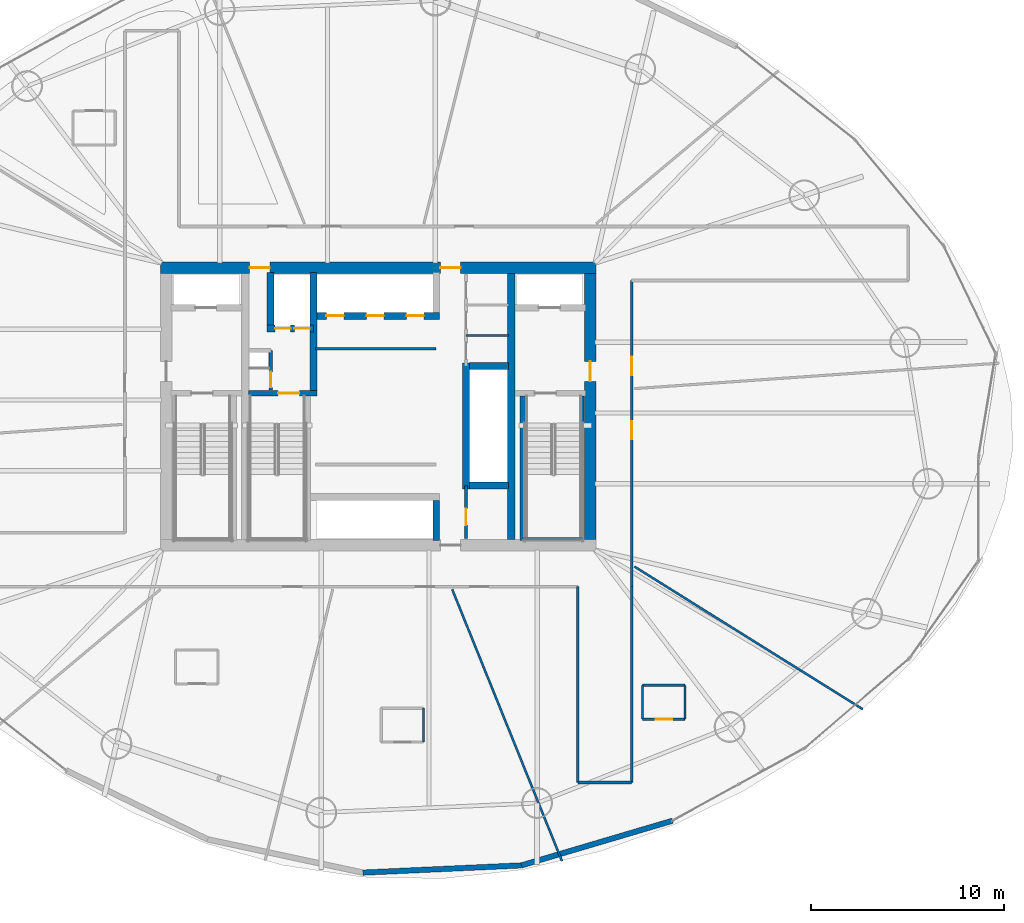
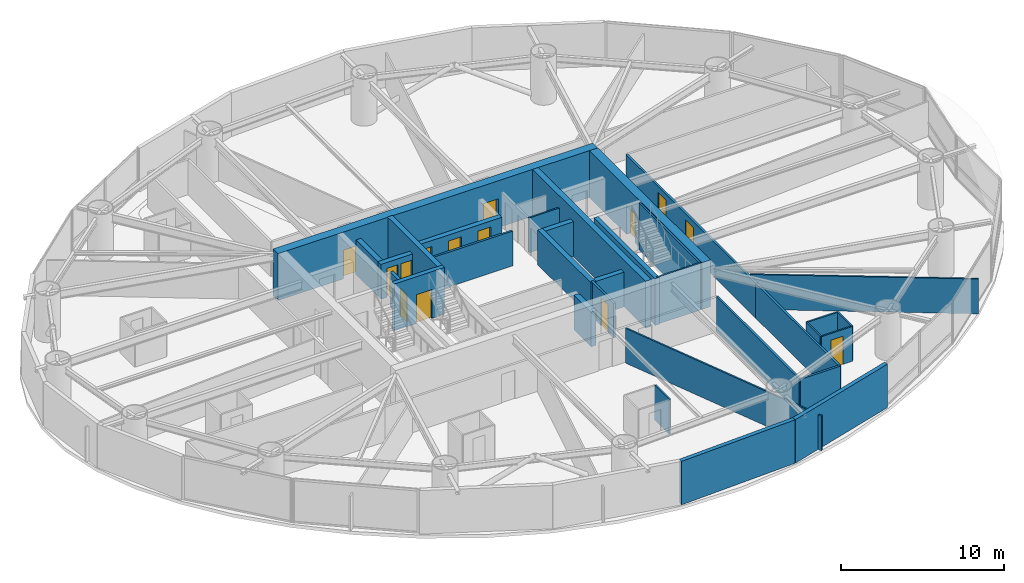
# One storey, part 22 of 25: 32 walls, 14 doors, 14 openings.
"""IFC4 building model written with IfcOpenShell, lengths in metres."""

from ifc_helpers import new_model, si_unit, direction, frame, frame_2d, origin, place, context, subcontext, project, spatial, rectangle, extrude, material, layer, layer_set, type_object, element, fill, save


model = new_model("IFC4")

# Units and contexts
model_context = context("Model", 3, precision=1e-05, world=origin(), true_north=direction((0.0, 1.0)))
body_context = subcontext(model_context, "Body", "Model", "MODEL_VIEW")
ifc_project = project(units=[si_unit("LENGTHUNIT", "METRE"), si_unit("AREAUNIT", "SQUARE_METRE"), si_unit("VOLUMEUNIT", "CUBIC_METRE"), si_unit("PLANEANGLEUNIT", "RADIAN"), si_unit("MASSUNIT", "GRAM", prefix="KILO")], contexts=[model_context])

# Site, building, storey
site_placement = place(None, origin())
site = spatial("IfcSite", under=ifc_project, at=site_placement, CompositionType="ELEMENT")
building_placement = place(site_placement, origin())
building = spatial("IfcBuilding", under=site, at=building_placement, Name="Bramvorn Convention Spire", CompositionType="ELEMENT")
storey_placement = place(building_placement, frame((0.0, 0.0, 55.39990234375)))
storey = spatial("IfcBuildingStorey", under=building, at=storey_placement, Name="L11", CompositionType="ELEMENT", Elevation=55.39990234375)

# Wall, openings, doors
ifc_material_1 = material(Name="Concrete C60/70", Category="concrete")
ifc_layer_1 = layer(ifc_material_1, 0.60009765625)
ifc_layer_set_1 = layer_set([ifc_layer_1], Name="Concrete C60/70 - WL-CORE-600")
wall_type_1 = type_object("IfcWallType", Name="WL-CORE-600", PredefinedType="SHEAR", material=ifc_layer_set_1)
wall_1_placement = place(storey_placement, frame((26.699951171875, 33.199951171875, 0.0), z_axis=(0.0, 0.0, 1.0), x_axis=(1.0, 0.0, 0.0)))
wall_1 = element("IfcWall", 1, at=wall_1_placement, inside=storey, type_object=wall_type_1, Name="L11 North RC core shear wall", PredefinedType="SHEAR", context=body_context, shape_type="SweptSolid", body=[
    extrude(rectangle(XDim=22.60009765625, YDim=0.60009765625, at=frame_2d((11.300048828125, 0.0))), origin(), (0.0, 0.0, 1.0), 3.5),
])
opening_1_placement = place(wall_1_placement, frame((4.6201171875, 0.0, 0.0)))
opening_1 = element("IfcOpeningElement", 2, at=opening_1_placement, cuts=wall_1, Name="Opening DL-105", PredefinedType="OPENING", context=body_context, shape_type="SweptSolid", body=[
    extrude(rectangle(XDim=1.050048828125, YDim=2.14990234375, at=frame_2d((0.52490234375, 1.074951171875))), frame((0.0, 0.31005859375, 0.0), z_axis=(0.0, -1.0, 0.0), x_axis=(1.0, 0.0, 0.0)), (0.0, 0.0, 1.0), 0.6201171875),
])
opening_2_placement = place(wall_1_placement, frame((14.52001953125, 0.0, 0.0)))
opening_2 = element("IfcOpeningElement", 3, at=opening_2_placement, cuts=wall_1, Name="Opening DL-105", PredefinedType="OPENING", context=body_context, shape_type="SweptSolid", body=[
    extrude(rectangle(XDim=1.050048828125, YDim=2.14990234375, at=frame_2d((0.52490234375, 1.074951171875))), frame((0.0, 0.31005859375, 0.0), z_axis=(0.0, -1.0, 0.0), x_axis=(1.0, 0.0, 0.0)), (0.0, 0.0, 1.0), 0.6201171875),
])
ifc_material_2 = material(Name="Smoke-Sealed Fire Lobby Timber-Core Door", Category="wood")
door_type_1 = type_object("IfcDoorType", Name="DR-LOBBY-1050", OperationType="NOTDEFINED", PredefinedType="DOOR", material=ifc_material_2)
door_1_placement = place(opening_1_placement, origin())
door_1 = element("IfcDoor", 4, at=door_1_placement, inside=storey, type_object=door_type_1, Name="L11 Service & Stair ST3 Lobby north corridor door", OperationType="SINGLE_SWING_LEFT", OverallHeight=2.14990234375, OverallWidth=1.050048828125, PredefinedType="DOOR", context=body_context, shape_type="SweptSolid", body=[
    extrude(rectangle(XDim=1.050048828125, YDim=2.14990234375, at=frame_2d((0.52490234375, 1.074951171875))), frame((0.0, 0.02490234375, 0.0), z_axis=(0.0, -1.0, 0.0), x_axis=(1.0, 0.0, 0.0)), (0.0, 0.0, 1.0), 0.050048828125),
])
fill(opening_1, door_1)
door_2_placement = place(opening_2_placement, origin())
door_2 = element("IfcDoor", 5, at=door_2_placement, inside=storey, type_object=door_type_1, Name="L11 North Lift Lobby fire door", OperationType="SINGLE_SWING_LEFT", OverallHeight=2.14990234375, OverallWidth=1.050048828125, PredefinedType="DOOR", context=body_context, shape_type="SweptSolid", body=[
    extrude(rectangle(XDim=1.050048828125, YDim=2.14990234375, at=frame_2d((0.52490234375, 1.074951171875))), frame((0.0, 0.02490234375, 0.0), z_axis=(0.0, -1.0, 0.0), x_axis=(1.0, 0.0, 0.0)), (0.0, 0.0, 1.0), 0.050048828125),
])
fill(opening_2, door_2)

# Wall, opening, door
wall_2_placement = place(storey_placement, frame((49.0, 19.10009765625, 0.0), z_axis=(0.0, 0.0, 1.0), x_axis=(0.0, 1.0, 0.0)))
wall_2 = element("IfcWall", 6, at=wall_2_placement, inside=storey, type_object=wall_type_1, Name="L11 East RC core shear wall", PredefinedType="SHEAR", context=body_context, shape_type="SweptSolid", body=[
    extrude(rectangle(XDim=13.7998046875, YDim=0.60009765625, at=frame_2d((6.89990234375, 0.0))), origin(), (0.0, 0.0, 1.0), 3.5),
])
opening_3_placement = place(wall_2_placement, frame((8.199951171875, 0.0, 0.0)))
opening_3 = element("IfcOpeningElement", 7, at=opening_3_placement, cuts=wall_2, Name="Opening DL-105", PredefinedType="OPENING", context=body_context, shape_type="SweptSolid", body=[
    extrude(rectangle(XDim=1.050048828125, YDim=2.14990234375, at=frame_2d((0.52490234375, 1.074951171875))), frame((0.0, 0.31005859375, 0.0), z_axis=(0.0, -1.0, 0.0), x_axis=(1.0, 0.0, 0.0)), (0.0, 0.0, 1.0), 0.6201171875),
])
door_3_placement = place(opening_3_placement, origin())
door_3 = element("IfcDoor", 8, at=door_3_placement, inside=storey, type_object=door_type_1, Name="L11 East Firefighting Lobby corridor door", OperationType="SINGLE_SWING_LEFT", OverallHeight=2.14990234375, OverallWidth=1.050048828125, PredefinedType="DOOR", context=body_context, shape_type="SweptSolid", body=[
    extrude(rectangle(XDim=1.050048828125, YDim=2.14990234375, at=frame_2d((0.52490234375, 1.074951171875))), frame((0.0, 0.02490234375, 0.0), z_axis=(0.0, -1.0, 0.0), x_axis=(1.0, 0.0, 0.0)), (0.0, 0.0, 1.0), 0.050048828125),
])
fill(opening_3, door_3)

# Wall
ifc_material_3 = material(Name="Concrete C50/60", Category="concrete")
ifc_layer_2 = layer(ifc_material_3, 0.35009765625)
ifc_layer_set_2 = layer_set([ifc_layer_2], Name="Concrete C50/60 - WL-CORE-INT-350")
wall_type_2 = type_object("IfcWallType", Name="WL-CORE-INT-350", PredefinedType="SHEAR", material=ifc_layer_set_2)
wall_3_placement = place(storey_placement, frame((34.639892578125, 26.68994140625, 0.0), z_axis=(0.0, 0.0, 1.0), x_axis=(0.0, 1.0, 0.0)))
element("IfcWall", 9, at=wall_3_placement, inside=storey, type_object=wall_type_2, Name="L11 SV east core shaft wall", PredefinedType="SHEAR", context=body_context, shape_type="SweptSolid", body=[
    extrude(rectangle(XDim=6.260009765625, YDim=0.35009765625, at=frame_2d((3.1298828125, 0.0))), origin(), (0.0, 0.0, 1.0), 3.5),
])

# Wall, openings, doors
wall_4_placement = place(storey_placement, frame((32.22998046875, 30.050048828125, 0.0), z_axis=(0.0, 0.0, 1.0), x_axis=(1.0, 0.0, 0.0)))
wall_4 = element("IfcWall", 10, at=wall_4_placement, inside=storey, type_object=wall_type_2, Name="L11 SV1/SV2 shaft front wall", PredefinedType="SHEAR", context=body_context, shape_type="SweptSolid", body=[
    extrude(rectangle(XDim=2.409912109375, YDim=0.35009765625, at=frame_2d((1.205078125, 0.0))), origin(), (0.0, 0.0, 1.0), 2.60009765625),
])
opening_4_placement = place(wall_4_placement, frame((0.419921875, 0.0, 0.0)))
opening_4 = element("IfcOpeningElement", 11, at=opening_4_placement, cuts=wall_4, Name="Opening LD-080", PredefinedType="OPENING", context=body_context, shape_type="SweptSolid", body=[
    extrude(rectangle(XDim=0.800048828125, YDim=2.14990234375, at=frame_2d((0.39990234375, 1.074951171875))), frame((0.0, 0.18505859375, 0.0), z_axis=(0.0, -1.0, 0.0), x_axis=(1.0, 0.0, 0.0)), (0.0, 0.0, 1.0), 0.3701171875),
])
opening_5_placement = place(wall_4_placement, frame((1.419921875, 0.0, 0.0)))
opening_5 = element("IfcOpeningElement", 12, at=opening_5_placement, cuts=wall_4, Name="Opening LD-080", PredefinedType="OPENING", context=body_context, shape_type="SweptSolid", body=[
    extrude(rectangle(XDim=0.800048828125, YDim=2.14990234375, at=frame_2d((0.39990234375, 1.074951171875))), frame((0.0, 0.18505859375, 0.0), z_axis=(0.0, -1.0, 0.0), x_axis=(1.0, 0.0, 0.0)), (0.0, 0.0, 1.0), 0.3701171875),
])
ifc_material_4 = material(Name="Service Lift Bi-Parting Landing Door", Category="steel")
door_type_2 = type_object("IfcDoorType", Name="DR-LIFT-LD-800", OperationType="NOTDEFINED", PredefinedType="DOOR", material=ifc_material_4)
door_4_placement = place(opening_4_placement, origin())
door_4 = element("IfcDoor", 13, at=door_4_placement, inside=storey, type_object=door_type_2, Name="L11 Lift SV1 Sliding Landing Door", OperationType="SLIDING_TO_LEFT", OverallHeight=2.14990234375, OverallWidth=0.800048828125, PredefinedType="DOOR", context=body_context, shape_type="SweptSolid", body=[
    extrude(rectangle(XDim=0.800048828125, YDim=2.14990234375, at=frame_2d((0.39990234375, 1.074951171875))), frame((0.0, 0.02490234375, 0.0), z_axis=(0.0, -1.0, 0.0), x_axis=(1.0, 0.0, 0.0)), (0.0, 0.0, 1.0), 0.050048828125),
])
fill(opening_4, door_4)
door_5_placement = place(opening_5_placement, origin())
door_5 = element("IfcDoor", 14, at=door_5_placement, inside=storey, type_object=door_type_2, Name="L11 Lift SV2 Sliding Landing Door", OperationType="SLIDING_TO_LEFT", OverallHeight=2.14990234375, OverallWidth=0.800048828125, PredefinedType="DOOR", context=body_context, shape_type="SweptSolid", body=[
    extrude(rectangle(XDim=0.800048828125, YDim=2.14990234375, at=frame_2d((0.39990234375, 1.074951171875))), frame((0.0, 0.02490234375, 0.0), z_axis=(0.0, -1.0, 0.0), x_axis=(1.0, 0.0, 0.0)), (0.0, 0.0, 1.0), 0.050048828125),
])
fill(opening_5, door_5)

# Walls
wall_5_placement = place(storey_placement, frame((32.39990234375, 30.219970703125, 0.0), z_axis=(0.0, 0.0, 1.0), x_axis=(0.0, 1.0, 0.0)))
element("IfcWall", 15, at=wall_5_placement, inside=storey, type_object=wall_type_2, Name="L11 SV1 west hoistway wall", PredefinedType="SHEAR", context=body_context, shape_type="SweptSolid", body=[
    extrude(rectangle(XDim=2.72998046875, YDim=0.35009765625, at=frame_2d((1.364990234375, 0.0))), origin(), (0.0, 0.0, 1.0), 2.60009765625),
])
wall_6_placement = place(storey_placement, frame((42.550048828125, 21.72998046875, 0.0), z_axis=(0.0, 0.0, 1.0), x_axis=(0.0, 1.0, 0.0)))
element("IfcWall", 16, at=wall_6_placement, inside=storey, type_object=wall_type_2, Name="L11 High-rise lift bank west wall", PredefinedType="SHEAR", context=body_context, shape_type="SweptSolid", body=[
    extrude(rectangle(XDim=6.5400390625, YDim=0.35009765625, at=frame_2d((3.27001953125, 0.0))), origin(), (0.0, 0.0, 1.0), 2.60009765625),
])
for number, where, z_axis, x_axis, name in (
    (17, (42.719970703125, 21.89990234375, 0.0), (0.0, 0.0, 1.0), (1.0, 0.0, 0.0), "L11 High-rise lift bank south wall"),
    (18, (42.719970703125, 28.10009765625, 0.0), (0.0, 0.0, 1.0), (1.0, 0.0, 0.0), "L11 High-rise lift bank north wall"),
):
    element("IfcWall", number, at=place(storey_placement, frame(where, z_axis=z_axis, x_axis=x_axis)), inside=storey, type_object=wall_type_2, Name=name, PredefinedType="SHEAR", context=body_context, shape_type="SweptSolid", body=[
        extrude(rectangle(XDim=2.030029296875, YDim=0.35009765625, at=frame_2d((1.01513671875, 0.0))), origin(), (0.0, 0.0, 1.0), 2.60009765625),
    ])

# Wall, openings, doors
wall_7_placement = place(storey_placement, frame((34.81005859375, 30.699951171875, 0.0), z_axis=(0.0, 0.0, 1.0), x_axis=(1.0, 0.0, 0.0)))
wall_7 = element("IfcWall", 19, at=wall_7_placement, inside=storey, type_object=wall_type_2, Name="L11 Low-rise bank south landing wall", PredefinedType="SHEAR", context=body_context, shape_type="SweptSolid", body=[
    extrude(rectangle(XDim=6.35986328125, YDim=0.35009765625, at=frame_2d((3.179931640625, 0.0))), origin(), (0.0, 0.0, 1.0), 2.60009765625),
])
opening_6_placement = place(wall_7_placement, frame((0.5, 0.0, 0.0)))
opening_6 = element("IfcOpeningElement", 20, at=opening_6_placement, cuts=wall_7, Name="Opening LD-090", PredefinedType="OPENING", context=body_context, shape_type="SweptSolid", body=[
    extrude(rectangle(XDim=0.89990234375, YDim=2.14990234375, at=frame_2d((0.449951171875, 1.074951171875))), frame((0.0, 0.18505859375, 0.0), z_axis=(0.0, -1.0, 0.0), x_axis=(1.0, 0.0, 0.0)), (0.0, 0.0, 1.0), 0.3701171875),
])
opening_7_placement = place(wall_7_placement, frame((2.580078125, 0.0, 0.0)))
opening_7 = element("IfcOpeningElement", 21, at=opening_7_placement, cuts=wall_7, Name="Opening LD-090", PredefinedType="OPENING", context=body_context, shape_type="SweptSolid", body=[
    extrude(rectangle(XDim=0.89990234375, YDim=2.14990234375, at=frame_2d((0.449951171875, 1.074951171875))), frame((0.0, 0.18505859375, 0.0), z_axis=(0.0, -1.0, 0.0), x_axis=(1.0, 0.0, 0.0)), (0.0, 0.0, 1.0), 0.3701171875),
])
opening_8_placement = place(wall_7_placement, frame((4.659912109375, 0.0, 0.0)))
opening_8 = element("IfcOpeningElement", 22, at=opening_8_placement, cuts=wall_7, Name="Opening LD-090", PredefinedType="OPENING", context=body_context, shape_type="SweptSolid", body=[
    extrude(rectangle(XDim=0.89990234375, YDim=2.14990234375, at=frame_2d((0.449951171875, 1.074951171875))), frame((0.0, 0.18505859375, 0.0), z_axis=(0.0, -1.0, 0.0), x_axis=(1.0, 0.0, 0.0)), (0.0, 0.0, 1.0), 0.3701171875),
])
ifc_material_5 = material(Name="Bi-Parting Fire-Rated Lift Landing Door", Category="steel")
door_type_3 = type_object("IfcDoorType", Name="DR-LIFT-LD-900", OperationType="NOTDEFINED", PredefinedType="DOOR", material=ifc_material_5)
door_6_placement = place(opening_6_placement, origin())
door_6 = element("IfcDoor", 23, at=door_6_placement, inside=storey, type_object=door_type_3, Name="L11 Lift PL1 Sliding Landing Door", OperationType="SLIDING_TO_LEFT", OverallHeight=2.14990234375, OverallWidth=0.89990234375, PredefinedType="DOOR", context=body_context, shape_type="SweptSolid", body=[
    extrude(rectangle(XDim=0.89990234375, YDim=2.14990234375, at=frame_2d((0.449951171875, 1.074951171875))), frame((0.0, 0.02490234375, 0.0), z_axis=(0.0, -1.0, 0.0), x_axis=(1.0, 0.0, 0.0)), (0.0, 0.0, 1.0), 0.050048828125),
])
fill(opening_6, door_6)
door_7_placement = place(opening_7_placement, origin())
door_7 = element("IfcDoor", 24, at=door_7_placement, inside=storey, type_object=door_type_3, Name="L11 Lift PL2 Sliding Landing Door", OperationType="SLIDING_TO_LEFT", OverallHeight=2.14990234375, OverallWidth=0.89990234375, PredefinedType="DOOR", context=body_context, shape_type="SweptSolid", body=[
    extrude(rectangle(XDim=0.89990234375, YDim=2.14990234375, at=frame_2d((0.449951171875, 1.074951171875))), frame((0.0, 0.02490234375, 0.0), z_axis=(0.0, -1.0, 0.0), x_axis=(1.0, 0.0, 0.0)), (0.0, 0.0, 1.0), 0.050048828125),
])
fill(opening_7, door_7)
door_8_placement = place(opening_8_placement, origin())
door_8 = element("IfcDoor", 25, at=door_8_placement, inside=storey, type_object=door_type_3, Name="L11 Lift PL3 Sliding Landing Door", OperationType="SLIDING_TO_LEFT", OverallHeight=2.14990234375, OverallWidth=0.89990234375, PredefinedType="DOOR", context=body_context, shape_type="SweptSolid", body=[
    extrude(rectangle(XDim=0.89990234375, YDim=2.14990234375, at=frame_2d((0.449951171875, 1.074951171875))), frame((0.0, 0.02490234375, 0.0), z_axis=(0.0, -1.0, 0.0), x_axis=(1.0, 0.0, 0.0)), (0.0, 0.0, 1.0), 0.050048828125),
])
fill(opening_8, door_8)

# Walls
wall_8_placement = place(storey_placement, frame((41.0, 19.050048828125, 0.0), z_axis=(0.0, 0.0, 1.0), x_axis=(0.0, 1.0, 0.0)))
element("IfcWall", 26, at=wall_8_placement, inside=storey, type_object=wall_type_2, Name="L11 Mid-rise bank east cheek wall", PredefinedType="SHEAR", context=body_context, shape_type="SweptSolid", body=[
    extrude(rectangle(XDim=2.079833984375, YDim=0.35009765625, at=frame_2d((1.0400390625, 0.0))), origin(), (0.0, 0.0, 1.0), 2.60009765625),
])
ifc_layer_3 = layer(ifc_material_1, 0.39990234375)
ifc_layer_set_3 = layer_set([ifc_layer_3], Name="Concrete C60/70 - WL-CORE-INT-400")
wall_type_3 = type_object("IfcWallType", Name="WL-CORE-INT-400", PredefinedType="SHEAR", material=ifc_layer_set_3)
wall_9_placement = place(storey_placement, frame((44.89990234375, 19.10009765625, 0.0), z_axis=(0.0, 0.0, 1.0), x_axis=(0.0, 1.0, 0.0)))
element("IfcWall", 27, at=wall_9_placement, inside=storey, type_object=wall_type_3, Name="L11 East internal core shear web", PredefinedType="SHEAR", context=body_context, shape_type="SweptSolid", body=[
    extrude(rectangle(XDim=13.7998046875, YDim=0.39990234375, at=frame_2d((6.89990234375, 0.0))), origin(), (0.0, 0.0, 1.0), 3.5),
])
ifc_material_6 = material(Name="Precast Concrete C40/50 with Bronze Terracotta Rainscreen", Category="masonry")
ifc_layer_4 = layer(ifc_material_6, 0.300048828125)
ifc_layer_set_4 = layer_set([ifc_layer_4], Name="Precast Concrete C40/50 with Bronze Terracotta Rainscreen - WL-EXT-BRONZE-300")
wall_type_4 = type_object("IfcWallType", Name="WL-EXT-BRONZE-300", PredefinedType="SOLIDWALL", material=ifc_layer_set_4)
wall_10_placement = place(storey_placement, frame((45.42724609375, 2.18798828125, 0.0), z_axis=(0.0, 0.0, 1.0), x_axis=(-0.998965606312, -0.045472160776, 0.0)))
element("IfcWall", 28, at=wall_10_placement, inside=storey, type_object=wall_type_4, Name="L11 expressed bronze Gothic lancet pier wall 19", PredefinedType="SOLIDWALL", context=body_context, shape_type="SweptSolid", body=[
    extrude(rectangle(XDim=8.241455078125, YDim=0.280029296875, at=frame_2d((4.12060546875, 0.0))), origin(), (0.0, 0.0, 1.0), 3.25),
])
wall_11_placement = place(storey_placement, frame((53.262451171875, 4.50537109375, 0.0), z_axis=(0.0, 0.0, 1.0), x_axis=(-0.958936659471, -0.283620315075, 0.0)))
element("IfcWall", 29, at=wall_11_placement, inside=storey, type_object=wall_type_4, Name="L11 expressed bronze Gothic lancet pier wall 20", PredefinedType="SOLIDWALL", context=body_context, shape_type="SweptSolid", body=[
    extrude(rectangle(XDim=8.170654296875, YDim=0.280029296875, at=frame_2d((4.08544921875, 0.0))), origin(), (0.0, 0.0, 1.0), 3.25),
])
ifc_material_7 = material(Name="Lightweight En-Suite & Wet-Wall Partition", Category="gypsum")
ifc_layer_5 = layer(ifc_material_7, 0.110107421875)
ifc_layer_set_5 = layer_set([ifc_layer_5], Name="Lightweight En-Suite & Wet-Wall Partition - WL-PART-110")
wall_type_5 = type_object("IfcWallType", Name="WL-PART-110", PredefinedType="PARTITIONING", material=ifc_layer_set_5)
wall_12_placement = place(storey_placement, frame((42.550048828125, 29.679931640625, 0.0), z_axis=(0.0, 0.0, 1.0), x_axis=(1.0, 0.0, 0.0)))
element("IfcWall", 30, at=wall_12_placement, inside=storey, type_object=wall_type_5, Name="L11 KC NE div 1", PredefinedType="PARTITIONING", context=body_context, shape_type="SweptSolid", body=[
    extrude(rectangle(XDim=2.199951171875, YDim=0.110107421875, at=frame_2d((1.10009765625, 0.0))), origin(), (0.0, 0.0, 1.0), 2.60009765625),
])
wall_13_placement = place(storey_placement, frame((41.834228515625, 16.510009765625, 0.0), z_axis=(0.0, 0.0, 1.0), x_axis=(0.374602418555, -0.927185541309, 0.0)))
element("IfcWall", 31, at=wall_13_placement, inside=storey, type_object=wall_type_5, Name="L11 Guestroom demising wall 9", PredefinedType="PARTITIONING", context=body_context, shape_type="SweptSolid", body=[
    extrude(rectangle(XDim=15.20556640625, YDim=0.110107421875, at=frame_2d((7.602783203125, 0.0))), origin(), (0.0, 0.0, 1.0), 2.60009765625),
])
wall_14_placement = place(storey_placement, frame((51.2900390625, 17.695556640625, 0.0), z_axis=(0.0, 0.0, 1.0), x_axis=(0.848046378233, -0.529922013476, 0.0)))
element("IfcWall", 32, at=wall_14_placement, inside=storey, type_object=wall_type_5, Name="L11 Guestroom demising wall 10", PredefinedType="PARTITIONING", context=body_context, shape_type="SweptSolid", body=[
    extrude(rectangle(XDim=13.978759765625, YDim=0.110107421875, at=frame_2d((6.9892578125, 0.0))), origin(), (0.0, 0.0, 1.0), 2.60009765625),
])
wall_15_placement = place(storey_placement, frame((40.350341796875, 8.58349609375, 0.0), z_axis=(0.0, 0.0, 1.0), x_axis=(0.0, 1.0, 0.0)))
element("IfcWall", 33, at=wall_15_placement, inside=storey, type_object=wall_type_5, Name="Hotel Suite 1108 en-suite east wall", PredefinedType="PARTITIONING", context=body_context, shape_type="SweptSolid", body=[
    extrude(rectangle(XDim=1.760009765625, YDim=0.110107421875, at=frame_2d((0.8798828125, 0.0))), origin(), (0.0, 0.0, 1.0), 2.60009765625),
])

# Wall, opening, door
wall_16_placement = place(storey_placement, frame((51.718017578125, 9.773681640625, 0.0), z_axis=(0.0, 0.0, 1.0), x_axis=(1.0, 0.0, 0.0)))
wall_16 = element("IfcWall", 34, at=wall_16_placement, inside=storey, type_object=wall_type_5, Name="Hotel Suite 1109 en-suite south wall", PredefinedType="PARTITIONING", context=body_context, shape_type="SweptSolid", body=[
    extrude(rectangle(XDim=2.199951171875, YDim=0.110107421875, at=frame_2d((1.10009765625, 0.0))), origin(), (0.0, 0.0, 1.0), 2.60009765625),
])
opening_9_placement = place(wall_16_placement, frame((0.679931640625, 0.0, 0.0)))
opening_9 = element("IfcOpeningElement", 35, at=opening_9_placement, cuts=wall_16, Name="Opening DI-085", PredefinedType="OPENING", context=body_context, shape_type="SweptSolid", body=[
    extrude(rectangle(XDim=0.85009765625, YDim=2.10009765625, at=frame_2d((0.425048828125, 1.050048828125))), frame((0.0, 0.06494140625, 0.0), z_axis=(0.0, -1.0, 0.0), x_axis=(1.0, 0.0, 0.0)), (0.0, 0.0, 1.0), 0.130126953125),
])
ifc_material_8 = material(Name="En-Suite & Restroom Privacy Door", Category="wood")
door_type_4 = type_object("IfcDoorType", Name="DR-INT-850", OperationType="NOTDEFINED", PredefinedType="DOOR", material=ifc_material_8)
door_9_placement = place(opening_9_placement, origin())
door_9 = element("IfcDoor", 36, at=door_9_placement, inside=storey, type_object=door_type_4, Name="Hotel Suite 1109 En-Suite Bathroom door", OperationType="SINGLE_SWING_LEFT", OverallHeight=2.10009765625, OverallWidth=0.85009765625, PredefinedType="DOOR", context=body_context, shape_type="SweptSolid", body=[
    extrude(rectangle(XDim=0.85009765625, YDim=2.10009765625, at=frame_2d((0.425048828125, 1.050048828125))), frame((0.0, 0.02490234375, 0.0), z_axis=(0.0, -1.0, 0.0), x_axis=(1.0, 0.0, 0.0)), (0.0, 0.0, 1.0), 0.050048828125),
])
fill(opening_9, door_9)

# Walls
wall_17_placement = place(storey_placement, frame((51.718017578125, 11.53369140625, 0.0), z_axis=(0.0, 0.0, 1.0), x_axis=(1.0, 0.0, 0.0)))
element("IfcWall", 37, at=wall_17_placement, inside=storey, type_object=wall_type_5, Name="Hotel Suite 1109 en-suite north wall", PredefinedType="PARTITIONING", context=body_context, shape_type="SweptSolid", body=[
    extrude(rectangle(XDim=2.199951171875, YDim=0.110107421875, at=frame_2d((1.10009765625, 0.0))), origin(), (0.0, 0.0, 1.0), 2.60009765625),
])
for number, where, z_axis, x_axis, name in (
    (38, (51.718017578125, 9.773681640625, 0.0), (0.0, 0.0, 1.0), (0.0, 1.0, 0.0), "Hotel Suite 1109 en-suite west wall"),
    (39, (53.91796875, 9.773681640625, 0.0), (0.0, 0.0, 1.0), (0.0, 1.0, 0.0), "Hotel Suite 1109 en-suite east wall"),
):
    element("IfcWall", number, at=place(storey_placement, frame(where, z_axis=z_axis, x_axis=x_axis)), inside=storey, type_object=wall_type_5, Name=name, PredefinedType="PARTITIONING", context=body_context, shape_type="SweptSolid", body=[
        extrude(rectangle(XDim=1.760009765625, YDim=0.110107421875, at=frame_2d((0.8798828125, 0.0))), origin(), (0.0, 0.0, 1.0), 2.60009765625),
    ])
ifc_material_9 = material(Name="Acoustic Metal-Stud Tenant/Corridor Partition", Category="gypsum")
ifc_layer_6 = layer(ifc_material_9, 0.14990234375)
ifc_layer_set_6 = layer_set([ifc_layer_6], Name="Acoustic Metal-Stud Tenant/Corridor Partition - WL-PART-150")
wall_type_6 = type_object("IfcWallType", Name="WL-PART-150", PredefinedType="PARTITIONING", material=ifc_layer_set_6)
wall_18_placement = place(storey_placement, frame((34.75, 29.0, 0.0), z_axis=(0.0, 0.0, 1.0), x_axis=(1.0, 0.0, 0.0)))
element("IfcWall", 40, at=wall_18_placement, inside=storey, type_object=wall_type_6, Name="L11 Low-rise lift vestibule south wall", PredefinedType="PARTITIONING", context=body_context, shape_type="SweptSolid", body=[
    extrude(rectangle(XDim=6.25, YDim=0.14990234375, at=frame_2d((3.125, 0.0))), origin(), (0.0, 0.0, 1.0), 2.60009765625),
])

# Wall, opening, door
wall_19_placement = place(storey_placement, frame((42.550048828125, 19.14990234375, 0.0), z_axis=(0.0, 0.0, 1.0), x_axis=(0.0, 1.0, 0.0)))
wall_19 = element("IfcWall", 41, at=wall_19_placement, inside=storey, type_object=wall_type_6, Name="L11 KC SE wall", PredefinedType="PARTITIONING", context=body_context, shape_type="SweptSolid", body=[
    extrude(rectangle(XDim=2.75, YDim=0.14990234375, at=frame_2d((1.375, 0.0))), origin(), (0.0, 0.0, 1.0), 2.60009765625),
])
opening_10_placement = place(wall_19_placement, frame((0.699951171875, 0.0, 0.0)))
opening_10 = element("IfcOpeningElement", 42, at=opening_10_placement, cuts=wall_19, Name="Opening DC-085", PredefinedType="OPENING", context=body_context, shape_type="SweptSolid", body=[
    extrude(rectangle(XDim=0.85009765625, YDim=2.10009765625, at=frame_2d((0.425048828125, 1.050048828125))), frame((0.0, 0.0849609375, 0.0), z_axis=(0.0, -1.0, 0.0), x_axis=(1.0, 0.0, 0.0)), (0.0, 0.0, 1.0), 0.169921875),
])
ifc_material_10 = material(Name="Fire-Rated Core Washroom & IDF Door", Category="wood")
door_type_5 = type_object("IfcDoorType", Name="DR-CORE-850", OperationType="NOTDEFINED", PredefinedType="DOOR", material=ifc_material_10)
door_10_placement = place(opening_10_placement, origin())
door_10 = element("IfcDoor", 43, at=door_10_placement, inside=storey, type_object=door_type_5, Name="L11 Core Valve & Riser Room door", OperationType="SINGLE_SWING_LEFT", OverallHeight=2.10009765625, OverallWidth=0.85009765625, PredefinedType="DOOR", context=body_context, shape_type="SweptSolid", body=[
    extrude(rectangle(XDim=0.85009765625, YDim=2.10009765625, at=frame_2d((0.425048828125, 1.050048828125))), frame((0.0, 0.02490234375, 0.0), z_axis=(0.0, -1.0, 0.0), x_axis=(1.0, 0.0, 0.0)), (0.0, 0.0, 1.0), 0.050048828125),
])
fill(opening_10, door_10)

# Wall, openings, doors
wall_20_placement = place(storey_placement, frame((51.14990234375, 16.64990234375, 0.0), z_axis=(0.0, 0.0, 1.0), x_axis=(0.0, 1.0, 0.0)))
wall_20 = element("IfcWall", 44, at=wall_20_placement, inside=storey, type_object=wall_type_6, Name="L11 East ring corridor wall", PredefinedType="PARTITIONING", context=body_context, shape_type="SweptSolid", body=[
    extrude(rectangle(XDim=15.900146484375, YDim=0.14990234375, at=frame_2d((7.9501953125, 0.0))), origin(), (0.0, 0.0, 1.0), 2.60009765625),
])
opening_11_placement = place(wall_20_placement, frame((10.986083984375, 0.0, 0.0)))
opening_11 = element("IfcOpeningElement", 45, at=opening_11_placement, cuts=wall_20, Name="Opening DH-095", PredefinedType="OPENING", context=body_context, shape_type="SweptSolid", body=[
    extrude(rectangle(XDim=0.949951171875, YDim=2.14990234375, at=frame_2d((0.47509765625, 1.074951171875))), frame((0.0, 0.0849609375, 0.0), z_axis=(0.0, -1.0, 0.0), x_axis=(1.0, 0.0, 0.0)), (0.0, 0.0, 1.0), 0.169921875),
])
opening_12_placement = place(wall_20_placement, frame((7.644775390625, 0.0, 0.0)))
opening_12 = element("IfcOpeningElement", 46, at=opening_12_placement, cuts=wall_20, Name="Opening DH-095", PredefinedType="OPENING", context=body_context, shape_type="SweptSolid", body=[
    extrude(rectangle(XDim=0.949951171875, YDim=2.14990234375, at=frame_2d((0.47509765625, 1.074951171875))), frame((0.0, 0.0849609375, 0.0), z_axis=(0.0, -1.0, 0.0), x_axis=(1.0, 0.0, 0.0)), (0.0, 0.0, 1.0), 0.169921875),
])
ifc_material_11 = material(Name="Solid-Core Acoustic Guestroom Entry Door", Category="wood")
door_type_6 = type_object("IfcDoorType", Name="DR-HOTEL-950", OperationType="NOTDEFINED", PredefinedType="DOOR", material=ifc_material_11)
door_11_placement = place(opening_11_placement, origin())
door_11 = element("IfcDoor", 47, at=door_11_placement, inside=storey, type_object=door_type_6, Name="L11 Sky Garden Lounge corridor door", OperationType="SINGLE_SWING_LEFT", OverallHeight=2.14990234375, OverallWidth=0.949951171875, PredefinedType="DOOR", context=body_context, shape_type="SweptSolid", body=[
    extrude(rectangle(XDim=0.949951171875, YDim=2.14990234375, at=frame_2d((0.47509765625, 1.074951171875))), frame((0.0, 0.02490234375, 0.0), z_axis=(0.0, -1.0, 0.0), x_axis=(1.0, 0.0, 0.0)), (0.0, 0.0, 1.0), 0.050048828125),
])
fill(opening_11, door_11)
door_12_placement = place(opening_12_placement, origin())
door_12 = element("IfcDoor", 48, at=door_12_placement, inside=storey, type_object=door_type_6, Name="L11 Hospitality Salon 10 door", OperationType="SINGLE_SWING_RIGHT", OverallHeight=2.14990234375, OverallWidth=0.949951171875, PredefinedType="DOOR", context=body_context, shape_type="SweptSolid", body=[
    extrude(rectangle(XDim=0.949951171875, YDim=2.14990234375, at=frame_2d((0.47509765625, 1.074951171875))), frame((0.0, 0.02490234375, 0.0), z_axis=(0.0, -1.0, 0.0), x_axis=(1.0, 0.0, 0.0)), (0.0, 0.0, 1.0), 0.050048828125),
])
fill(opening_12, door_12)

# Walls
for number, where, z_axis, x_axis, name in (
    (49, (48.35009765625, 6.5, 0.0), (0.0, 0.0, 1.0), (0.0, 1.0, 0.0), "L11 SE pinwheel wing west wall"),
    (50, (51.14990234375, 6.5, 0.0), (0.0, 0.0, 1.0), (0.0, 1.0, 0.0), "L11 SE pinwheel wing east wall"),
):
    element("IfcWall", number, at=place(storey_placement, frame(where, z_axis=z_axis, x_axis=x_axis)), inside=storey, type_object=wall_type_6, Name=name, PredefinedType="PARTITIONING", context=body_context, shape_type="SweptSolid", body=[
        extrude(rectangle(XDim=10.14990234375, YDim=0.14990234375, at=frame_2d((5.074951171875, 0.0))), origin(), (0.0, 0.0, 1.0), 2.60009765625),
    ])
wall_21_placement = place(storey_placement, frame((48.35009765625, 6.5, 0.0), z_axis=(0.0, 0.0, 1.0), x_axis=(1.0, 0.0, 0.0)))
element("IfcWall", 51, at=wall_21_placement, inside=storey, type_object=wall_type_6, Name="L11 SE pinwheel end wall", PredefinedType="PARTITIONING", context=body_context, shape_type="SweptSolid", body=[
    extrude(rectangle(XDim=2.7998046875, YDim=0.14990234375, at=frame_2d((1.39990234375, 0.0))), origin(), (0.0, 0.0, 1.0), 2.60009765625),
])

# Wall, opening, door
ifc_material_12 = material(Name="Gypsum Shaftwall & Rockwool Core Partition", Category="gypsum")
ifc_layer_7 = layer(ifc_material_12, 0.199951171875)
ifc_layer_set_7 = layer_set([ifc_layer_7], Name="Gypsum Shaftwall & Rockwool Core Partition - WL-PART-200-FR")
wall_type_7 = type_object("IfcWallType", Name="WL-PART-200-FR", PredefinedType="PARTITIONING", material=ifc_layer_set_7)
wall_22_placement = place(storey_placement, frame((32.419921875, 26.860107421875, 0.0), z_axis=(0.0, 0.0, 1.0), x_axis=(0.0, 1.0, 0.0)))
wall_22 = element("IfcWall", 52, at=wall_22_placement, inside=storey, type_object=wall_type_7, Name="L11 Telecom riser east wall", PredefinedType="PARTITIONING", context=body_context, shape_type="SweptSolid", body=[
    extrude(rectangle(XDim=2.039794921875, YDim=0.199951171875, at=frame_2d((1.02001953125, 0.0))), origin(), (0.0, 0.0, 1.0), 2.60009765625),
])
opening_13_placement = place(wall_22_placement, frame((0.139892578125, 0.0, 0.0)))
opening_13 = element("IfcOpeningElement", 53, at=opening_13_placement, cuts=wall_22, Name="Opening DR-080", PredefinedType="OPENING", context=body_context, shape_type="SweptSolid", body=[
    extrude(rectangle(XDim=0.800048828125, YDim=2.050048828125, at=frame_2d((0.39990234375, 1.02490234375))), frame((0.0, 0.10986328125, 0.0), z_axis=(0.0, -1.0, 0.0), x_axis=(1.0, 0.0, 0.0)), (0.0, 0.0, 1.0), 0.219970703125),
])
ifc_material_13 = material(Name="Flush Steel Riser Access Door", Category="steel")
door_type_7 = type_object("IfcDoorType", Name="DR-RISER-800", OperationType="NOTDEFINED", PredefinedType="DOOR", material=ifc_material_13)
door_13_placement = place(opening_13_placement, origin())
door_13 = element("IfcDoor", 54, at=door_13_placement, inside=storey, type_object=door_type_7, Name="L11 Telecom riser access door", OperationType="SINGLE_SWING_RIGHT", OverallHeight=2.050048828125, OverallWidth=0.800048828125, PredefinedType="DOOR", context=body_context, shape_type="SweptSolid", body=[
    extrude(rectangle(XDim=0.800048828125, YDim=2.050048828125, at=frame_2d((0.39990234375, 1.02490234375))), frame((0.0, 0.02490234375, 0.0), z_axis=(0.0, -1.0, 0.0), x_axis=(1.0, 0.0, 0.0)), (0.0, 0.0, 1.0), 0.050048828125),
])
fill(opening_13, door_13)

# Wall
ifc_layer_8 = layer(ifc_material_3, 0.300048828125)
ifc_layer_set_8 = layer_set([ifc_layer_8], Name="Concrete C50/60 - WL-POD-STAIR-300")
wall_type_8 = type_object("IfcWallType", Name="WL-POD-STAIR-300", PredefinedType="SHEAR", material=ifc_layer_set_8)
wall_23_placement = place(storey_placement, frame((45.510009765625, 19.050048828125, 0.0), z_axis=(0.0, 0.0, 1.0), x_axis=(0.0, 1.0, 0.0)))
element("IfcWall", 55, at=wall_23_placement, inside=storey, type_object=wall_type_8, Name="L11 ST2 west bearing wall", PredefinedType="SHEAR", context=body_context, shape_type="SweptSolid", body=[
    extrude(rectangle(XDim=7.5, YDim=0.300048828125, at=frame_2d((3.75, 0.0))), origin(), (0.0, 0.0, 1.0), 3.5),
])

# Wall, opening, door
wall_24_placement = place(storey_placement, frame((31.25, 26.68994140625, 0.0), z_axis=(0.0, 0.0, 1.0), x_axis=(1.0, 0.0, 0.0)))
wall_24 = element("IfcWall", 56, at=wall_24_placement, inside=storey, type_object=wall_type_8, Name="L11 ST3 north lobby wall", PredefinedType="SHEAR", context=body_context, shape_type="SweptSolid", body=[
    extrude(rectangle(XDim=3.56005859375, YDim=0.300048828125, at=frame_2d((1.780029296875, 0.0))), origin(), (0.0, 0.0, 1.0), 3.5),
])
opening_14_placement = place(wall_24_placement, frame((1.550048828125, 0.0, 0.0)))
opening_14 = element("IfcOpeningElement", 57, at=opening_14_placement, cuts=wall_24, Name="Opening DS-110", PredefinedType="OPENING", context=body_context, shape_type="SweptSolid", body=[
    extrude(rectangle(XDim=1.10009765625, YDim=2.14990234375, at=frame_2d((0.550048828125, 1.074951171875))), frame((0.0, 0.159912109375, 0.0), z_axis=(0.0, -1.0, 0.0), x_axis=(1.0, 0.0, 0.0)), (0.0, 0.0, 1.0), 0.320068359375),
])
ifc_material_14 = material(Name="Fire-Rated Hollow Steel Stairwell Door", Category="steel")
door_type_8 = type_object("IfcDoorType", Name="DR-STAIR-1100", OperationType="NOTDEFINED", PredefinedType="DOOR", material=ifc_material_14)
door_14_placement = place(opening_14_placement, origin())
door_14 = element("IfcDoor", 58, at=door_14_placement, inside=storey, type_object=door_type_8, Name="L11 Stair ST3 fire door", OperationType="SINGLE_SWING_LEFT", OverallHeight=2.14990234375, OverallWidth=1.10009765625, PredefinedType="DOOR", context=body_context, shape_type="SweptSolid", body=[
    extrude(rectangle(XDim=1.10009765625, YDim=2.14990234375, at=frame_2d((0.550048828125, 1.074951171875))), frame((0.0, 0.02490234375, 0.0), z_axis=(0.0, -1.0, 0.0), x_axis=(1.0, 0.0, 0.0)), (0.0, 0.0, 1.0), 0.050048828125),
])
fill(opening_14, door_14)

# Walls
ifc_layer_9 = layer(ifc_material_3, 0.1201171875)
ifc_layer_set_9 = layer_set([ifc_layer_9], Name="Concrete C50/60 - WL-STAIR-RC-120")
wall_type_9 = type_object("IfcWallType", Name="WL-STAIR-RC-120", PredefinedType="SHEAR", material=ifc_layer_set_9)
wall_25_placement = place(storey_placement, frame((48.60498046875, 19.10009765625, 0.0), z_axis=(0.0, 0.0, 1.0), x_axis=(0.0, 1.0, 0.0)))
element("IfcWall", 59, at=wall_25_placement, inside=storey, type_object=wall_type_9, Name="L11 ST2 east bearing shear wall", PredefinedType="SHEAR", context=body_context, shape_type="SweptSolid", body=[
    extrude(rectangle(XDim=7.449951171875, YDim=0.1201171875, at=frame_2d((3.72509765625, 0.0))), origin(), (0.0, 0.0, 1.0), 3.5),
])
wall_26_placement = place(storey_placement, frame((45.510009765625, 19.159912109375, 0.0), z_axis=(0.0, 0.0, 1.0), x_axis=(1.0, 0.0, 0.0)))
element("IfcWall", 60, at=wall_26_placement, inside=storey, type_object=wall_type_9, Name="L11 ST2 south bearing shear wall", PredefinedType="SHEAR", context=body_context, shape_type="SweptSolid", body=[
    extrude(rectangle(XDim=3.094970703125, YDim=0.1201171875, at=frame_2d((1.54736328125, 0.0))), origin(), (0.0, 0.0, 1.0), 3.5),
])

save(model, "model.ifc")
